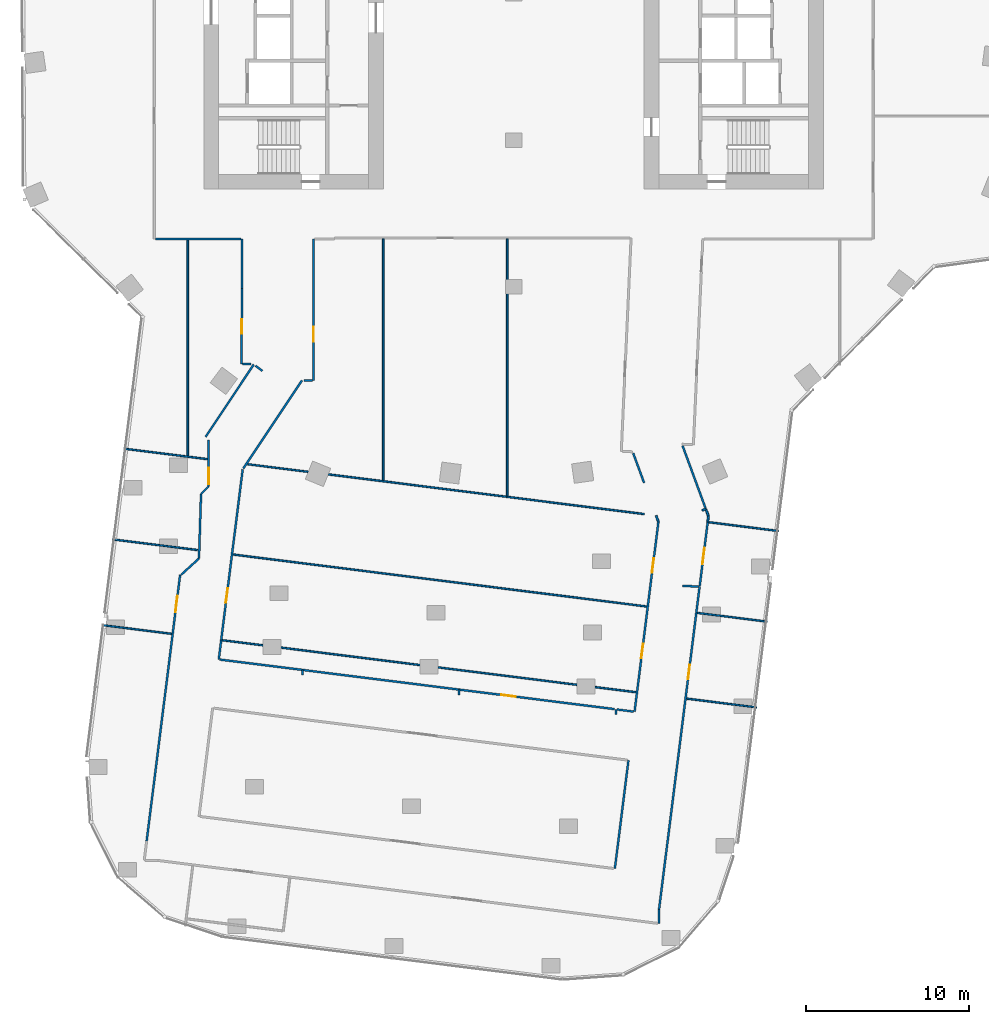
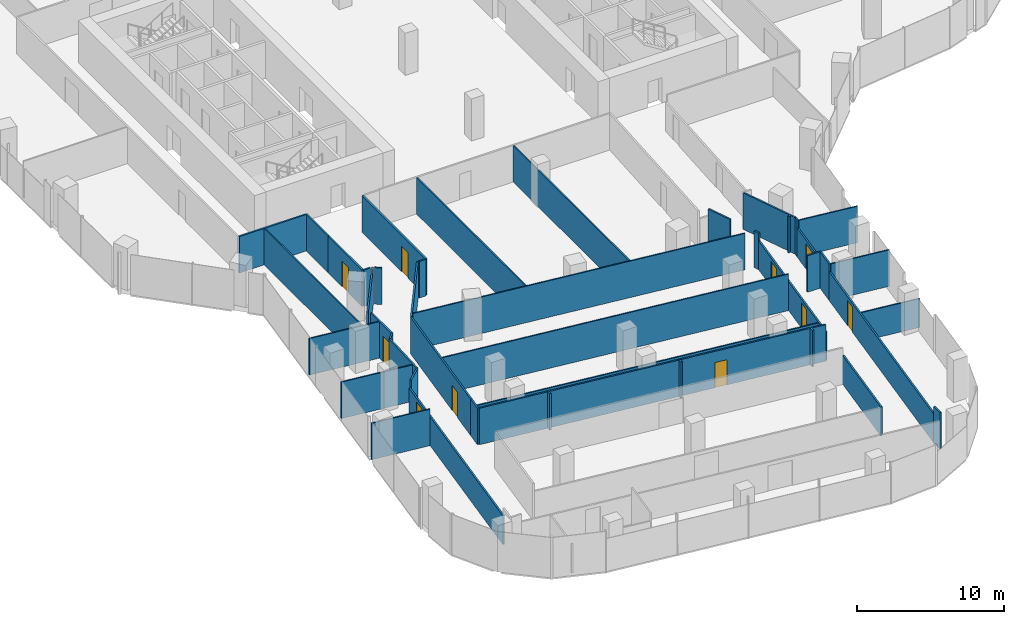
# One storey, part 19 of 27: 46 walls, 10 doors, 10 openings.
"""IFC4 building model written with IfcOpenShell, lengths in metres."""

from ifc_helpers import new_model, si_unit, direction, frame, frame_2d, origin, place, context, subcontext, project, spatial, rectangle, extrude, material, layer, layer_set, type_object, element, fill, save


model = new_model("IFC4")

# Units and contexts
model_context = context("Model", 3, precision=1e-05, world=origin(), true_north=direction((0.0, 1.0)))
body_context = subcontext(model_context, "Body", "Model", "MODEL_VIEW")
ifc_project = project(units=[si_unit("LENGTHUNIT", "METRE"), si_unit("AREAUNIT", "SQUARE_METRE"), si_unit("VOLUMEUNIT", "CUBIC_METRE"), si_unit("PLANEANGLEUNIT", "RADIAN"), si_unit("MASSUNIT", "GRAM", prefix="KILO")], contexts=[model_context])

# Site, building, storey
site_placement = place(None, origin())
site = spatial("IfcSite", under=ifc_project, at=site_placement, CompositionType="ELEMENT")
building_placement = place(site_placement, origin())
building = spatial("IfcBuilding", under=site, at=building_placement, Name="Orlundy Tower", CompositionType="ELEMENT")
storey_placement = place(building_placement, frame((0.0, 0.0, 202.60009765625)))
storey = spatial("IfcBuildingStorey", under=building, at=storey_placement, Name="L53", CompositionType="ELEMENT", Elevation=202.60009765625)

# Walls
ifc_material_1 = material(Name="Gypsum board partition")
ifc_layer_1 = layer(ifc_material_1, 0.10009765625)
ifc_layer_set_1 = layer_set([ifc_layer_1], Name="Floor partition 100")
wall_type_1 = type_object("IfcWallType", Name="Floor partition 100", PredefinedType="PARTITIONING", material=ifc_layer_set_1)
wall_1_placement = place(storey_placement, frame((-0.39892578125, -15.06201171875, 0.0), z_axis=(0.0, 0.0, 1.0), x_axis=(6.1913754e-05, -0.999999998083, 0.0)))
element("IfcWall", 1, at=wall_1_placement, inside=storey, type_object=wall_type_1, Name="wall-int-L53-001", PredefinedType="PARTITIONING", context=body_context, shape_type="SweptSolid", body=[
    extrude(rectangle(XDim=15.77294921875, YDim=0.10009765625, at=frame_2d((7.886474609375, 0.0))), origin(), (0.0, 0.0, 1.0), 3.02978515625),
])
wall_2_placement = place(storey_placement, frame((-25.281982421875, -38.7490234375, 0.0), z_axis=(0.0, 0.0, 1.0), x_axis=(0.992194392082, -0.124700795187, 0.0)))
element("IfcWall", 2, at=wall_2_placement, inside=storey, type_object=wall_type_1, Name="wall-int-L53-013", PredefinedType="PARTITIONING", context=body_context, shape_type="SweptSolid", body=[
    extrude(rectangle(XDim=4.33056640625, YDim=0.10009765625, at=frame_2d((2.165283203125, 0.0))), origin(), (0.0, 0.0, 1.0), 3.02978515625),
])
wall_3_placement = place(storey_placement, frame((-24.62109375, -33.489990234375, 0.0), z_axis=(0.0, 0.0, 1.0), x_axis=(0.992192670487, -0.124714492473, 0.0)))
element("IfcWall", 3, at=wall_3_placement, inside=storey, type_object=wall_type_1, Name="wall-int-L53-016", PredefinedType="PARTITIONING", context=body_context, shape_type="SweptSolid", body=[
    extrude(rectangle(XDim=5.260009765625, YDim=0.10009765625, at=frame_2d((2.6298828125, 0.0))), origin(), (0.0, 0.0, 1.0), 3.02978515625),
])
wall_4_placement = place(storey_placement, frame((-17.220947265625, -34.4208984375, 0.0), z_axis=(0.0, 0.0, 1.0), x_axis=(0.992190871449, -0.124728804262, 0.0)))
element("IfcWall", 4, at=wall_4_placement, inside=storey, type_object=wall_type_1, Name="wall-int-L53-017", PredefinedType="PARTITIONING", context=body_context, shape_type="SweptSolid", body=[
    extrude(rectangle(XDim=25.584716796875, YDim=0.10009765625, at=frame_2d((12.79248046875, 0.0))), origin(), (0.0, 0.0, 1.0), 3.02978515625),
])
wall_5_placement = place(storey_placement, frame((11.26611328125, -38.0029296875, 0.0), z_axis=(0.0, 0.0, 1.0), x_axis=(0.992194392082, -0.124700795187, 0.0)))
element("IfcWall", 5, at=wall_5_placement, inside=storey, type_object=wall_type_1, Name="wall-int-L53-018", PredefinedType="PARTITIONING", context=body_context, shape_type="SweptSolid", body=[
    extrude(rectangle(XDim=4.33056640625, YDim=0.10009765625, at=frame_2d((2.165283203125, 0.0))), origin(), (0.0, 0.0, 1.0), 3.02978515625),
])
wall_6_placement = place(storey_placement, frame((-23.9208984375, -27.927001953125, 0.0), z_axis=(0.0, 0.0, 1.0), x_axis=(0.992179593467, -0.124818485443, 0.0)))
element("IfcWall", 6, at=wall_6_placement, inside=storey, type_object=wall_type_1, Name="wall-int-L53-019", PredefinedType="PARTITIONING", context=body_context, shape_type="SweptSolid", body=[
    extrude(rectangle(XDim=5.175537109375, YDim=0.10009765625, at=frame_2d((2.587890625, 0.0))), origin(), (0.0, 0.0, 1.0), 3.02978515625),
])
wall_7_placement = place(storey_placement, frame((-16.31494140625, -28.884033203125, 0.0), z_axis=(0.0, 0.0, 1.0), x_axis=(0.992189406065, -0.124740460527, 0.0)))
element("IfcWall", 7, at=wall_7_placement, inside=storey, type_object=wall_type_1, Name="wall-int-L53-020", PredefinedType="PARTITIONING", context=body_context, shape_type="SweptSolid", body=[
    extrude(rectangle(XDim=24.523681640625, YDim=0.10009765625, at=frame_2d((12.26171875, 0.0))), origin(), (0.0, 0.0, 1.0), 3.02978515625),
])
wall_8_placement = place(storey_placement, frame((11.965087890625, -32.43994140625, 0.0), z_axis=(0.0, 0.0, 1.0), x_axis=(0.992194392082, -0.124700795187, 0.0)))
element("IfcWall", 8, at=wall_8_placement, inside=storey, type_object=wall_type_1, Name="wall-int-L53-021", PredefinedType="PARTITIONING", context=body_context, shape_type="SweptSolid", body=[
    extrude(rectangle(XDim=4.33056640625, YDim=0.10009765625, at=frame_2d((2.165283203125, 0.0))), origin(), (0.0, 0.0, 1.0), 3.02978515625),
])
wall_9_placement = place(storey_placement, frame((-8.0, -29.87890625, 0.0), z_axis=(0.0, 0.0, 1.0), x_axis=(0.0, 1.0, 0.0)))
element("IfcWall", 9, at=wall_9_placement, inside=storey, type_object=wall_type_1, Name="wall-int-L53-071", PredefinedType="PARTITIONING", context=body_context, shape_type="SweptSolid", body=[
    extrude(rectangle(XDim=14.81591796875, YDim=0.10009765625, at=frame_2d((7.407958984375, 0.0))), origin(), (0.0, 0.0, 1.0), 3.02978515625),
])
wall_10_placement = place(storey_placement, frame((-20.0, -28.3701171875, 0.0), z_axis=(0.0, 0.0, 1.0), x_axis=(0.0, 1.0, 0.0)))
element("IfcWall", 10, at=wall_10_placement, inside=storey, type_object=wall_type_1, Name="wall-int-L53-075", PredefinedType="PARTITIONING", context=body_context, shape_type="SweptSolid", body=[
    extrude(rectangle(XDim=13.256103515625, YDim=0.10009765625, at=frame_2d((6.6279296875, 0.0))), origin(), (0.0, 0.0, 1.0), 3.02978515625),
])
ifc_material_2 = material(Name="Gypsum board partition")
ifc_layer_2 = layer(ifc_material_2, 0.10009765625)
ifc_layer_set_2 = layer_set([ifc_layer_2], Name="Floor partition 100 B")
wall_type_2 = type_object("IfcWallType", Name="Floor partition 100 B", PredefinedType="PARTITIONING", material=ifc_layer_set_2)
wall_11_placement = place(storey_placement, frame((-17.883056640625, -39.678955078125, 0.0), z_axis=(0.0, 0.0, 1.0), x_axis=(0.992186741223, -0.124761654932, 0.0)))
element("IfcWall", 11, at=wall_11_placement, inside=storey, type_object=wall_type_2, Name="wall-int-L53-014", PredefinedType="PARTITIONING", context=body_context, shape_type="SweptSolid", body=[
    extrude(rectangle(XDim=25.5859375, YDim=0.10009765625, at=frame_2d((12.79296875, 0.0))), origin(), (0.0, 0.0, 1.0), 2.39501953125),
])
wall_12_placement = place(storey_placement, frame((10.60498046875, -43.260986328125, 0.0), z_axis=(0.0, 0.0, 1.0), x_axis=(0.992195268651, -0.124693820479, 0.0)))
element("IfcWall", 12, at=wall_12_placement, inside=storey, type_object=wall_type_2, Name="wall-int-L53-015", PredefinedType="PARTITIONING", context=body_context, shape_type="SweptSolid", body=[
    extrude(rectangle(XDim=4.330810546875, YDim=0.10009765625, at=frame_2d((2.16552734375, 0.0))), origin(), (0.0, 0.0, 1.0), 2.39501953125),
])
ifc_material_3 = material(Name="Gypsum board partition, double layer")
ifc_layer_3 = layer(ifc_material_3, 0.125)
ifc_layer_set_3 = layer_set([ifc_layer_3], Name="Floor partition 125")
wall_type_3 = type_object("IfcWallType", Name="Floor partition 125", PredefinedType="PARTITIONING", material=ifc_layer_set_3)
wall_13_placement = place(storey_placement, frame((7.33203125, -28.2099609375, 0.0), z_axis=(0.0, 0.0, 1.0), x_axis=(0.34522583337, -0.938519644959, 0.0)))
element("IfcWall", 13, at=wall_13_placement, inside=storey, type_object=wall_type_3, Name="wall-int-L53-002", PredefinedType="PARTITIONING", context=body_context, shape_type="SweptSolid", body=[
    extrude(rectangle(XDim=1.934814453125, YDim=0.125, at=frame_2d((0.96728515625, 0.0))), origin(), (0.0, 0.0, 1.0), 3.02978515625),
])
wall_14_placement = place(storey_placement, frame((8.738037109375, -32.033935546875, 0.0), z_axis=(0.0, 0.0, 1.0), x_axis=(0.344934891115, -0.938626614204, 0.0)))
element("IfcWall", 14, at=wall_14_placement, inside=storey, type_object=wall_type_3, Name="wall-int-L53-003", PredefinedType="PARTITIONING", context=body_context, shape_type="SweptSolid", body=[
    extrude(rectangle(XDim=0.4111328125, YDim=0.125, at=frame_2d((0.20556640625, 0.0))), origin(), (0.0, 0.0, 1.0), 3.02978515625),
])
wall_15_placement = place(storey_placement, frame((10.35791015625, -27.742919921875, 0.0), z_axis=(0.0, 0.0, 1.0), x_axis=(0.34503845991, -0.938588547332, 0.0)))
element("IfcWall", 15, at=wall_15_placement, inside=storey, type_object=wall_type_3, Name="wall-int-L53-004", PredefinedType="PARTITIONING", context=body_context, shape_type="SweptSolid", body=[
    extrude(rectangle(XDim=4.072021484375, YDim=0.125, at=frame_2d((2.0361328125, 0.0))), origin(), (0.0, 0.0, 1.0), 3.02978515625),
])
wall_16_placement = place(storey_placement, frame((11.785888671875, -31.6279296875, 0.0), z_axis=(0.0, 0.0, 1.0), x_axis=(0.346065449672, -0.938210373287, 0.0)))
element("IfcWall", 16, at=wall_16_placement, inside=storey, type_object=wall_type_3, Name="wall-int-L53-005", PredefinedType="PARTITIONING", context=body_context, shape_type="SweptSolid", body=[
    extrude(rectangle(XDim=0.47119140625, YDim=0.125, at=frame_2d((0.235595703125, 0.0))), origin(), (0.0, 0.0, 1.0), 3.02978515625),
])
wall_17_placement = place(storey_placement, frame((-15.840087890625, -22.843017578125, 0.0), z_axis=(0.0, 0.0, 1.0), x_axis=(0.80067453545, -0.599099564582, 0.0)))
element("IfcWall", 17, at=wall_17_placement, inside=storey, type_object=wall_type_3, Name="wall-int-L53-006", PredefinedType="PARTITIONING", context=body_context, shape_type="SweptSolid", body=[
    extrude(rectangle(XDim=0.520751953125, YDim=0.125, at=frame_2d((0.26025390625, 0.0))), origin(), (0.0, 0.0, 1.0), 3.02978515625),
])

# Wall, opening, door
wall_18_placement = place(storey_placement, frame((-18.031982421875, -40.865966796875, 0.0), z_axis=(0.0, 0.0, 1.0), x_axis=(0.9922120451, -0.124560256738, 0.0)))
wall_18 = element("IfcWall", 18, at=wall_18_placement, inside=storey, type_object=wall_type_3, Name="wall-int-L53-011", PredefinedType="PARTITIONING", context=body_context, shape_type="SweptSolid", body=[
    extrude(rectangle(XDim=24.4140625, YDim=0.125, at=frame_2d((12.20703125, 0.0))), origin(), (0.0, 0.0, 1.0), 3.02978515625),
])
opening_1_placement = place(wall_18_placement, frame((17.40380859375, 0.0, 0.0)))
opening_1 = element("IfcOpeningElement", 19, at=opening_1_placement, cuts=wall_18, Name="Opening 40105", PredefinedType="OPENING", context=body_context, shape_type="SweptSolid", body=[
    extrude(rectangle(XDim=0.89990234375, YDim=2.10009765625, at=frame_2d((0.449951171875, 1.050048828125))), frame((0.0, 0.072509765625, 0.0), z_axis=(0.0, -1.0, 0.0), x_axis=(1.0, 0.0, 0.0)), (0.0, 0.0, 1.0), 0.14501953125),
])
ifc_material_4 = material(Name="Timber door leaf", Category="wood")
door_type_1 = type_object("IfcDoorType", Name="Floor door single 900 FD30S", OperationType="NOTDEFINED", PredefinedType="DOOR", material=ifc_material_4)
door_1_placement = place(opening_1_placement, origin())
door_1 = element("IfcDoor", 20, at=door_1_placement, inside=storey, type_object=door_type_1, Name="Door 40105", OperationType="SINGLE_SWING_RIGHT", OverallHeight=2.10009765625, OverallWidth=0.89990234375, PredefinedType="DOOR", context=body_context, shape_type="SweptSolid", body=[
    extrude(rectangle(XDim=0.89990234375, YDim=2.10009765625, at=frame_2d((0.449951171875, 1.050048828125))), frame((0.0, 0.02490234375, 0.0), z_axis=(0.0, -1.0, 0.0), x_axis=(1.0, 0.0, 0.0)), (0.0, 0.0, 1.0), 0.050048828125),
])
fill(opening_1, door_1)

# Walls
wall_19_placement = place(storey_placement, frame((6.342041015625, -43.930908203125, 0.0), z_axis=(0.0, 0.0, 1.0), x_axis=(0.992192944833, -0.124712309833, 0.0)))
element("IfcWall", 21, at=wall_19_placement, inside=storey, type_object=wall_type_3, Name="wall-int-L53-012", PredefinedType="PARTITIONING", context=body_context, shape_type="SweptSolid", body=[
    extrude(rectangle(XDim=1.02001953125, YDim=0.125, at=frame_2d((0.510009765625, 0.0))), origin(), (0.0, 0.0, 1.0), 3.02978515625),
])
wall_20_placement = place(storey_placement, frame((10.365966796875, -36.35595703125, 0.0), z_axis=(0.0, 0.0, 1.0), x_axis=(0.999700907591, -0.024455988254, 0.0)))
element("IfcWall", 22, at=wall_20_placement, inside=storey, type_object=wall_type_3, Name="wall-int-L53-024", PredefinedType="PARTITIONING", context=body_context, shape_type="SweptSolid", body=[
    extrude(rectangle(XDim=0.978271484375, YDim=0.125, at=frame_2d((0.4892578125, 0.0))), origin(), (0.0, 0.0, 1.0), 3.02978515625),
])
for number, where, z_axis, x_axis, name in (
    (23, (-12.876953125, -23.7451171875, 0.0), (0.0, 0.0, 1.0), (0.999992999485, -0.003741788586, 0.0), "wall-int-L53-026"),
    (24, (-16.62890625, -22.72802734375, 0.0), (0.0, 0.0, 1.0), (0.999992999485, -0.003741788586, 0.0), "wall-int-L53-027"),
):
    element("IfcWall", number, at=place(storey_placement, frame(where, z_axis=z_axis, x_axis=x_axis)), inside=storey, type_object=wall_type_3, Name=name, PredefinedType="PARTITIONING", context=body_context, shape_type="SweptSolid", body=[
        extrude(rectangle(XDim=0.52197265625, YDim=0.125, at=frame_2d((0.260986328125, 0.0))), origin(), (0.0, 0.0, 1.0), 3.02978515625),
    ])
wall_21_placement = place(storey_placement, frame((-20.402099609375, -35.6640625, 0.0), z_axis=(0.0, 0.0, 1.0), x_axis=(0.738431976745, 0.674327973408, 0.0)))
element("IfcWall", 25, at=wall_21_placement, inside=storey, type_object=wall_type_3, Name="wall-int-L53-028", PredefinedType="PARTITIONING", context=body_context, shape_type="SweptSolid", body=[
    extrude(rectangle(XDim=1.4814453125, YDim=0.125, at=frame_2d((0.74072265625, 0.0))), origin(), (0.0, 0.0, 1.0), 3.02978515625),
])
wall_22_placement = place(storey_placement, frame((-19.181884765625, -30.702880859375, 0.0), z_axis=(0.0, 0.0, 1.0), x_axis=(0.707106781187, 0.707106781187, 0.0)))
element("IfcWall", 26, at=wall_22_placement, inside=storey, type_object=wall_type_3, Name="wall-int-L53-029", PredefinedType="PARTITIONING", context=body_context, shape_type="SweptSolid", body=[
    extrude(rectangle(XDim=0.65869140625, YDim=0.125, at=frame_2d((0.329345703125, 0.0))), origin(), (0.0, 0.0, 1.0), 3.02978515625),
])
wall_23_placement = place(storey_placement, frame((-21.988037109375, -15.051025390625, 0.0), z_axis=(0.0, 0.0, 1.0), x_axis=(1.0, 0.0, 0.0)))
element("IfcWall", 27, at=wall_23_placement, inside=storey, type_object=wall_type_3, Name="wall-int-L53-030", PredefinedType="PARTITIONING", context=body_context, shape_type="SweptSolid", body=[
    extrude(rectangle(XDim=5.255126953125, YDim=0.125, at=frame_2d((2.62744140625, 0.0))), origin(), (0.0, 0.0, 1.0), 3.02978515625),
])
wall_24_placement = place(storey_placement, frame((11.56298828125, -31.720947265625, 0.0), z_axis=(0.0, 0.0, 1.0), x_axis=(0.921426271694, 0.3885532471, 0.0)))
element("IfcWall", 28, at=wall_24_placement, inside=storey, type_object=wall_type_3, Name="wall-int-L53-041", PredefinedType="PARTITIONING", context=body_context, shape_type="SweptSolid", body=[
    extrude(rectangle(XDim=0.241943359375, YDim=0.125, at=frame_2d((0.12109375, 0.0))), origin(), (0.0, 0.0, 1.0), 3.02978515625),
])
wall_25_placement = place(storey_placement, frame((-12.992919921875, -23.7451171875, 0.0), z_axis=(0.0, 0.0, 1.0), x_axis=(-0.554439865958, -0.832223789035, 0.0)))
element("IfcWall", 29, at=wall_25_placement, inside=storey, type_object=wall_type_3, Name="wall-int-L53-042", PredefinedType="PARTITIONING", context=body_context, shape_type="SweptSolid", body=[
    extrude(rectangle(XDim=6.4931640625, YDim=0.125, at=frame_2d((3.24658203125, 0.0))), origin(), (0.0, 0.0, 1.0), 3.02978515625),
])
wall_26_placement = place(storey_placement, frame((-15.947998046875, -22.76806640625, 0.0), z_axis=(0.0, 0.0, 1.0), x_axis=(-0.554404200785, -0.832247548601, 0.0)))
element("IfcWall", 30, at=wall_26_placement, inside=storey, type_object=wall_type_3, Name="wall-int-L53-043", PredefinedType="PARTITIONING", context=body_context, shape_type="SweptSolid", body=[
    extrude(rectangle(XDim=5.330078125, YDim=0.125, at=frame_2d((2.6650390625, 0.0))), origin(), (0.0, 0.0, 1.0), 3.02978515625),
])
wall_27_placement = place(storey_placement, frame((-19.18310546875, -30.7080078125, 0.0), z_axis=(0.0, 0.0, 1.0), x_axis=(-0.0315735891, -0.99950142995, 0.0)))
element("IfcWall", 31, at=wall_27_placement, inside=storey, type_object=wall_type_3, Name="wall-int-L53-044", PredefinedType="PARTITIONING", context=body_context, shape_type="SweptSolid", body=[
    extrude(rectangle(XDim=3.958984375, YDim=0.125, at=frame_2d((1.9794921875, 0.0))), origin(), (0.0, 0.0, 1.0), 3.02978515625),
])
wall_28_placement = place(storey_placement, frame((11.903076171875, -32.431884765625, 0.0), z_axis=(0.0, 0.0, 1.0), x_axis=(0.125847054802, 0.992049655409, 0.0)))
element("IfcWall", 32, at=wall_28_placement, inside=storey, type_object=wall_type_3, Name="wall-int-L53-045", PredefinedType="PARTITIONING", context=body_context, shape_type="SweptSolid", body=[
    extrude(rectangle(XDim=0.36474609375, YDim=0.125, at=frame_2d((0.182373046875, 0.0))), origin(), (0.0, 0.0, 1.0), 3.02978515625),
])

# Wall, opening, door
wall_29_placement = place(storey_placement, frame((-16.6259765625, -29.197998046875, 0.0), z_axis=(0.0, 0.0, 1.0), x_axis=(-0.1249655299, -0.992161083865, 0.0)))
wall_29 = element("IfcWall", 33, at=wall_29_placement, inside=storey, type_object=wall_type_3, Name="wall-int-L53-052", PredefinedType="PARTITIONING", context=body_context, shape_type="SweptSolid", body=[
    extrude(rectangle(XDim=10.5556640625, YDim=0.125, at=frame_2d((5.27783203125, 0.0))), origin(), (0.0, 0.0, 1.0), 3.02978515625),
])
opening_2_placement = place(wall_29_placement, frame((7.35595703125, 0.0, 0.0)))
opening_2 = element("IfcOpeningElement", 34, at=opening_2_placement, cuts=wall_29, Name="Opening 40103", PredefinedType="OPENING", context=body_context, shape_type="SweptSolid", body=[
    extrude(rectangle(XDim=0.89990234375, YDim=2.10009765625, at=frame_2d((0.449951171875, 1.050048828125))), frame((0.0, 0.072509765625, 0.0), z_axis=(0.0, -1.0, 0.0), x_axis=(1.0, 0.0, 0.0)), (0.0, 0.0, 1.0), 0.14501953125),
])
door_2_placement = place(opening_2_placement, origin())
door_2 = element("IfcDoor", 35, at=door_2_placement, inside=storey, type_object=door_type_1, Name="Door 40103", OperationType="SINGLE_SWING_RIGHT", OverallHeight=2.10009765625, OverallWidth=0.89990234375, PredefinedType="DOOR", context=body_context, shape_type="SweptSolid", body=[
    extrude(rectangle(XDim=0.89990234375, YDim=2.10009765625, at=frame_2d((0.449951171875, 1.050048828125))), frame((0.0, 0.02490234375, 0.0), z_axis=(0.0, -1.0, 0.0), x_axis=(1.0, 0.0, 0.0)), (0.0, 0.0, 1.0), 0.050048828125),
])
fill(opening_2, door_2)

# Walls
wall_30_placement = place(storey_placement, frame((-18.093994140625, -40.85791015625, 0.0), z_axis=(0.0, 0.0, 1.0), x_axis=(0.124486830253, 0.99222126015, 0.0)))
element("IfcWall", 36, at=wall_30_placement, inside=storey, type_object=wall_type_3, Name="wall-int-L53-054", PredefinedType="PARTITIONING", context=body_context, shape_type="SweptSolid", body=[
    extrude(rectangle(XDim=1.1962890625, YDim=0.125, at=frame_2d((0.59814453125, 0.0))), origin(), (0.0, 0.0, 1.0), 3.02978515625),
])
wall_31_placement = place(storey_placement, frame((11.2041015625, -37.9951171875, 0.0), z_axis=(0.0, 0.0, 1.0), x_axis=(0.124201089062, 0.992257068242, 0.0)))
element("IfcWall", 37, at=wall_31_placement, inside=storey, type_object=wall_type_3, Name="wall-int-L53-056", PredefinedType="PARTITIONING", context=body_context, shape_type="SweptSolid", body=[
    extrude(rectangle(XDim=1.625732421875, YDim=0.125, at=frame_2d((0.81298828125, 0.0))), origin(), (0.0, 0.0, 1.0), 3.02978515625),
])
wall_32_placement = place(storey_placement, frame((8.906005859375, -57.056884765625, 0.0), z_axis=(0.0, 0.0, 1.0), x_axis=(0.010516757761, 0.999944697374, 0.0)))
element("IfcWall", 38, at=wall_32_placement, inside=storey, type_object=wall_type_3, Name="wall-int-L53-060", PredefinedType="PARTITIONING", context=body_context, shape_type="SweptSolid", body=[
    extrude(rectangle(XDim=0.85888671875, YDim=0.125, at=frame_2d((0.429443359375, 0.0))), origin(), (0.0, 0.0, 1.0), 3.02978515625),
])

# Wall, opening, door
wall_33_placement = place(storey_placement, frame((-12.27001953125, -15.051025390625, 0.0), z_axis=(0.0, 0.0, 1.0), x_axis=(-0.002639031771, -0.99999651775, 0.0)))
wall_33 = element("IfcWall", 39, at=wall_33_placement, inside=storey, type_object=wall_type_3, Name="wall-int-L53-061", PredefinedType="PARTITIONING", context=body_context, shape_type="SweptSolid", body=[
    extrude(rectangle(XDim=8.696044921875, YDim=0.125, at=frame_2d((4.34814453125, 0.0))), origin(), (0.0, 0.0, 1.0), 3.02978515625),
])
opening_3_placement = place(wall_33_placement, frame((5.405517578125, 0.0, 0.0)))
opening_3 = element("IfcOpeningElement", 40, at=opening_3_placement, cuts=wall_33, Name="Opening 40113", PredefinedType="OPENING", context=body_context, shape_type="SweptSolid", body=[
    extrude(rectangle(XDim=0.89990234375, YDim=2.10009765625, at=frame_2d((0.449951171875, 1.050048828125))), frame((0.0, 0.072509765625, 0.0), z_axis=(0.0, -1.0, 0.0), x_axis=(1.0, 0.0, 0.0)), (0.0, 0.0, 1.0), 0.14501953125),
])
door_3_placement = place(opening_3_placement, origin())
door_3 = element("IfcDoor", 41, at=door_3_placement, inside=storey, type_object=door_type_1, Name="Door 40113", OperationType="SINGLE_SWING_RIGHT", OverallHeight=2.10009765625, OverallWidth=0.89990234375, PredefinedType="DOOR", context=body_context, shape_type="SweptSolid", body=[
    extrude(rectangle(XDim=0.89990234375, YDim=2.10009765625, at=frame_2d((0.449951171875, 1.050048828125))), frame((0.0, 0.02490234375, 0.0), z_axis=(0.0, -1.0, 0.0), x_axis=(1.0, 0.0, 0.0)), (0.0, 0.0, 1.0), 0.050048828125),
])
fill(opening_3, door_3)

# Wall
wall_34_placement = place(storey_placement, frame((-16.678955078125, -18.093994140625, 0.0), z_axis=(0.0, 0.0, 1.0), x_axis=(0.002647615881, 0.999996495059, 0.0)))
element("IfcWall", 42, at=wall_34_placement, inside=storey, type_object=wall_type_3, Name="wall-int-L53-062", PredefinedType="PARTITIONING", context=body_context, shape_type="SweptSolid", body=[
    extrude(rectangle(XDim=3.04296875, YDim=0.125, at=frame_2d((1.521484375, 0.0))), origin(), (0.0, 0.0, 1.0), 3.02978515625),
])

# Wall, opening, door
wall_35_placement = place(storey_placement, frame((-16.69091796875, -22.72802734375, 0.0), z_axis=(0.0, 0.0, 1.0), x_axis=(0.002581520295, 0.999996667871, 0.0)))
wall_35 = element("IfcWall", 43, at=wall_35_placement, inside=storey, type_object=wall_type_3, Name="wall-int-L53-063", PredefinedType="PARTITIONING", context=body_context, shape_type="SweptSolid", body=[
    extrude(rectangle(XDim=4.634033203125, YDim=0.125, at=frame_2d((2.31689453125, 0.0))), origin(), (0.0, 0.0, 1.0), 3.02978515625),
])
opening_4_placement = place(wall_35_placement, frame((1.85009765625, 0.0, 0.0)))
opening_4 = element("IfcOpeningElement", 44, at=opening_4_placement, cuts=wall_35, Name="Opening 40112", PredefinedType="OPENING", context=body_context, shape_type="SweptSolid", body=[
    extrude(rectangle(XDim=0.89990234375, YDim=2.10009765625, at=frame_2d((0.449951171875, 1.050048828125))), frame((0.0, 0.072509765625, 0.0), z_axis=(0.0, -1.0, 0.0), x_axis=(1.0, 0.0, 0.0)), (0.0, 0.0, 1.0), 0.14501953125),
])
door_4_placement = place(opening_4_placement, origin())
door_4 = element("IfcDoor", 45, at=door_4_placement, inside=storey, type_object=door_type_1, Name="Door 40112", OperationType="SINGLE_SWING_LEFT", OverallHeight=2.10009765625, OverallWidth=0.89990234375, PredefinedType="DOOR", context=body_context, shape_type="SweptSolid", body=[
    extrude(rectangle(XDim=0.89990234375, YDim=2.10009765625, at=frame_2d((0.449951171875, 1.050048828125))), frame((0.0, 0.02490234375, 0.0), z_axis=(0.0, -1.0, 0.0), x_axis=(1.0, 0.0, 0.0)), (0.0, 0.0, 1.0), 0.050048828125),
])
fill(opening_4, door_4)

# Walls
wall_36_placement = place(storey_placement, frame((6.280029296875, -44.2470703125, 0.0), z_axis=(0.0, 0.0, 1.0), x_axis=(0.0, 1.0, 0.0)))
element("IfcWall", 46, at=wall_36_placement, inside=storey, type_object=wall_type_3, Name="wall-int-L53-068", PredefinedType="PARTITIONING", context=body_context, shape_type="SweptSolid", body=[
    extrude(rectangle(XDim=0.323974609375, YDim=0.125, at=frame_2d((0.162109375, 0.0))), origin(), (0.0, 0.0, 1.0), 3.02978515625),
])
wall_37_placement = place(storey_placement, frame((-3.344970703125, -43.037109375, 0.0), z_axis=(0.0, 0.0, 1.0), x_axis=(0.0, 1.0, 0.0)))
element("IfcWall", 47, at=wall_37_placement, inside=storey, type_object=wall_type_3, Name="wall-int-L53-070", PredefinedType="PARTITIONING", context=body_context, shape_type="SweptSolid", body=[
    extrude(rectangle(XDim=0.32421875, YDim=0.125, at=frame_2d((0.162109375, 0.0))), origin(), (0.0, 0.0, 1.0), 3.02978515625),
])
wall_38_placement = place(storey_placement, frame((-12.968017578125, -41.826904296875, 0.0), z_axis=(0.0, 0.0, 1.0), x_axis=(0.0, 1.0, 0.0)))
element("IfcWall", 48, at=wall_38_placement, inside=storey, type_object=wall_type_3, Name="wall-int-L53-073", PredefinedType="PARTITIONING", context=body_context, shape_type="SweptSolid", body=[
    extrude(rectangle(XDim=0.323974609375, YDim=0.125, at=frame_2d((0.162109375, 0.0))), origin(), (0.0, 0.0, 1.0), 3.02978515625),
])

# Wall, opening, door
wall_39_placement = place(storey_placement, frame((-18.716064453125, -30.237060546875, 0.0), z_axis=(0.0, 0.0, 1.0), x_axis=(0.0, 1.0, 0.0)))
wall_39 = element("IfcWall", 49, at=wall_39_placement, inside=storey, type_object=wall_type_3, Name="wall-int-L53-074", PredefinedType="PARTITIONING", context=body_context, shape_type="SweptSolid", body=[
    extrude(rectangle(XDim=2.826171875, YDim=0.125, at=frame_2d((1.4130859375, 0.0))), origin(), (0.0, 0.0, 1.0), 3.02978515625),
])
opening_5_placement = place(wall_39_placement, frame((0.134033203125, 0.0, 0.0)))
opening_5 = element("IfcOpeningElement", 50, at=opening_5_placement, cuts=wall_39, Name="Opening 40109", PredefinedType="OPENING", context=body_context, shape_type="SweptSolid", body=[
    extrude(rectangle(XDim=1.0, YDim=2.10009765625, at=frame_2d((0.5, 1.050048828125))), frame((0.0, 0.072509765625, 0.0), z_axis=(0.0, -1.0, 0.0), x_axis=(1.0, 0.0, 0.0)), (0.0, 0.0, 1.0), 0.14501953125),
])
ifc_material_5 = material(Name="Timber door leaf", Category="wood")
door_type_2 = type_object("IfcDoorType", Name="Floor door wide 1000 FD30S", OperationType="NOTDEFINED", PredefinedType="DOOR", material=ifc_material_5)
door_5_placement = place(opening_5_placement, origin())
door_5 = element("IfcDoor", 51, at=door_5_placement, inside=storey, type_object=door_type_2, Name="Door 40109", OperationType="SINGLE_SWING_LEFT", OverallHeight=2.10009765625, OverallWidth=1.0, PredefinedType="DOOR", context=body_context, shape_type="SweptSolid", body=[
    extrude(rectangle(XDim=1.0, YDim=2.10009765625, at=frame_2d((0.5, 1.050048828125))), frame((0.0, 0.02490234375, 0.0), z_axis=(0.0, -1.0, 0.0), x_axis=(1.0, 0.0, 0.0)), (0.0, 0.0, 1.0), 0.050048828125),
])
fill(opening_5, door_5)

ifc_material_6 = material(Name="Gypsum board partition, double layer")
ifc_layer_4 = layer(ifc_material_6, 0.125)
ifc_layer_set_4 = layer_set([ifc_layer_4], Name="Floor partition 125 B")
wall_type_4 = type_object("IfcWallType", Name="Floor partition 125 B", PredefinedType="PARTITIONING", material=ifc_layer_set_4)
wall_40_placement = place(storey_placement, frame((11.2041015625, -37.993896484375, 0.0), z_axis=(0.0, 0.0, 1.0), x_axis=(-0.124761850955, -0.992186716574, 0.0)))
wall_40 = element("IfcWall", 52, at=wall_40_placement, inside=storey, type_object=wall_type_4, Name="wall-int-L53-046", PredefinedType="PARTITIONING", context=body_context, shape_type="SweptSolid", body=[
    extrude(rectangle(XDim=18.347412109375, YDim=0.125, at=frame_2d((9.173828125, 0.0))), origin(), (0.0, 0.0, 1.0), 2.39501953125),
])
opening_6_placement = place(wall_40_placement, frame((3.225341796875, 0.0, 0.0)))
opening_6 = element("IfcOpeningElement", 53, at=opening_6_placement, cuts=wall_40, Name="Opening 40101", PredefinedType="OPENING", context=body_context, shape_type="SweptSolid", body=[
    extrude(rectangle(XDim=0.89990234375, YDim=2.10009765625, at=frame_2d((0.449951171875, 1.050048828125))), frame((0.0, 0.072509765625, 0.0), z_axis=(0.0, -1.0, 0.0), x_axis=(1.0, 0.0, 0.0)), (0.0, 0.0, 1.0), 0.14501953125),
])
door_6_placement = place(opening_6_placement, origin())
door_6 = element("IfcDoor", 54, at=door_6_placement, inside=storey, type_object=door_type_1, Name="Door 40101", OperationType="SINGLE_SWING_LEFT", OverallHeight=2.10009765625, OverallWidth=0.89990234375, PredefinedType="DOOR", context=body_context, shape_type="SweptSolid", body=[
    extrude(rectangle(XDim=0.89990234375, YDim=2.10009765625, at=frame_2d((0.449951171875, 1.050048828125))), frame((0.0, 0.02490234375, 0.0), z_axis=(0.0, -1.0, 0.0), x_axis=(1.0, 0.0, 0.0)), (0.0, 0.0, 1.0), 0.050048828125),
])
fill(opening_6, door_6)

wall_41_placement = place(storey_placement, frame((11.903076171875, -32.431884765625, 0.0), z_axis=(0.0, 0.0, 1.0), x_axis=(-0.124726255985, -0.992191191791, 0.0)))
wall_41 = element("IfcWall", 55, at=wall_41_placement, inside=storey, type_object=wall_type_4, Name="wall-int-L53-047", PredefinedType="PARTITIONING", context=body_context, shape_type="SweptSolid", body=[
    extrude(rectangle(XDim=3.953857421875, YDim=0.125, at=frame_2d((1.97705078125, 0.0))), origin(), (0.0, 0.0, 1.0), 2.39501953125),
])
opening_7_placement = place(wall_41_placement, frame((1.60009765625, 0.0, 0.0)))
opening_7 = element("IfcOpeningElement", 56, at=opening_7_placement, cuts=wall_41, Name="Opening 40100", PredefinedType="OPENING", context=body_context, shape_type="SweptSolid", body=[
    extrude(rectangle(XDim=1.0, YDim=2.10009765625, at=frame_2d((0.5, 1.050048828125))), frame((0.0, 0.072509765625, 0.0), z_axis=(0.0, -1.0, 0.0), x_axis=(1.0, 0.0, 0.0)), (0.0, 0.0, 1.0), 0.14501953125),
])
door_7_placement = place(opening_7_placement, origin())
door_7 = element("IfcDoor", 57, at=door_7_placement, inside=storey, type_object=door_type_2, Name="Door 40100", OperationType="SINGLE_SWING_RIGHT", OverallHeight=2.10009765625, OverallWidth=1.0, PredefinedType="DOOR", context=body_context, shape_type="SweptSolid", body=[
    extrude(rectangle(XDim=1.0, YDim=2.10009765625, at=frame_2d((0.5, 1.050048828125))), frame((0.0, 0.02490234375, 0.0), z_axis=(0.0, -1.0, 0.0), x_axis=(1.0, 0.0, 0.0)), (0.0, 0.0, 1.0), 0.050048828125),
])
fill(opening_7, door_7)

# Wall
wall_42_placement = place(storey_placement, frame((6.205078125, -53.693115234375, 0.0), z_axis=(0.0, 0.0, 1.0), x_axis=(0.124720623553, 0.992191899816, 0.0)))
element("IfcWall", 58, at=wall_42_placement, inside=storey, type_object=wall_type_4, Name="wall-int-L53-048", PredefinedType="PARTITIONING", context=body_context, shape_type="SweptSolid", body=[
    extrude(rectangle(XDim=6.702392578125, YDim=0.125, at=frame_2d((3.35107421875, 0.0))), origin(), (0.0, 0.0, 1.0), 2.39501953125),
])

# Wall, openings, doors
wall_43_placement = place(storey_placement, frame((7.416015625, -44.06591796875, 0.0), z_axis=(0.0, 0.0, 1.0), x_axis=(0.124521004899, 0.992216971906, 0.0)))
wall_43 = element("IfcWall", 59, at=wall_43_placement, inside=storey, type_object=wall_type_4, Name="wall-int-L53-049", PredefinedType="PARTITIONING", context=body_context, shape_type="SweptSolid", body=[
    extrude(rectangle(XDim=11.740234375, YDim=0.125, at=frame_2d((5.8701171875, 0.0))), origin(), (0.0, 0.0, 1.0), 2.39501953125),
])
opening_8_placement = place(wall_43_placement, frame((8.5966796875, 0.0, 0.0)))
opening_8 = element("IfcOpeningElement", 60, at=opening_8_placement, cuts=wall_43, Name="Opening 40102", PredefinedType="OPENING", context=body_context, shape_type="SweptSolid", body=[
    extrude(rectangle(XDim=0.89990234375, YDim=2.10009765625, at=frame_2d((0.449951171875, 1.050048828125))), frame((0.0, 0.072509765625, 0.0), z_axis=(0.0, -1.0, 0.0), x_axis=(1.0, 0.0, 0.0)), (0.0, 0.0, 1.0), 0.14501953125),
])
opening_9_placement = place(wall_43_placement, frame((3.29638671875, 0.0, 0.0)))
opening_9 = element("IfcOpeningElement", 61, at=opening_9_placement, cuts=wall_43, Name="Opening 40104", PredefinedType="OPENING", context=body_context, shape_type="SweptSolid", body=[
    extrude(rectangle(XDim=0.89990234375, YDim=2.10009765625, at=frame_2d((0.449951171875, 1.050048828125))), frame((0.0, 0.072509765625, 0.0), z_axis=(0.0, -1.0, 0.0), x_axis=(1.0, 0.0, 0.0)), (0.0, 0.0, 1.0), 0.14501953125),
])
door_8_placement = place(opening_8_placement, origin())
door_8 = element("IfcDoor", 62, at=door_8_placement, inside=storey, type_object=door_type_1, Name="Door 40102", OperationType="SINGLE_SWING_RIGHT", OverallHeight=2.10009765625, OverallWidth=0.89990234375, PredefinedType="DOOR", context=body_context, shape_type="SweptSolid", body=[
    extrude(rectangle(XDim=0.89990234375, YDim=2.10009765625, at=frame_2d((0.449951171875, 1.050048828125))), frame((0.0, 0.02490234375, 0.0), z_axis=(0.0, -1.0, 0.0), x_axis=(1.0, 0.0, 0.0)), (0.0, 0.0, 1.0), 0.050048828125),
])
fill(opening_8, door_8)
door_9_placement = place(opening_9_placement, origin())
door_9 = element("IfcDoor", 63, at=door_9_placement, inside=storey, type_object=door_type_1, Name="Door 40104", OperationType="SINGLE_SWING_LEFT", OverallHeight=2.10009765625, OverallWidth=0.89990234375, PredefinedType="DOOR", context=body_context, shape_type="SweptSolid", body=[
    extrude(rectangle(XDim=0.89990234375, YDim=2.10009765625, at=frame_2d((0.449951171875, 1.050048828125))), frame((0.0, 0.02490234375, 0.0), z_axis=(0.0, -1.0, 0.0), x_axis=(1.0, 0.0, 0.0)), (0.0, 0.0, 1.0), 0.050048828125),
])
fill(opening_9, door_9)

# Wall, opening, door
wall_44_placement = place(storey_placement, frame((-22.52001953125, -52.008056640625, 0.0), z_axis=(0.0, 0.0, 1.0), x_axis=(0.124660538506, 0.992199450786, 0.0)))
wall_44 = element("IfcWall", 64, at=wall_44_placement, inside=storey, type_object=wall_type_4, Name="wall-int-L53-055", PredefinedType="PARTITIONING", context=body_context, shape_type="SweptSolid", body=[
    extrude(rectangle(XDim=16.468505859375, YDim=0.125, at=frame_2d((8.234375, 0.0))), origin(), (0.0, 0.0, 1.0), 2.39501953125),
])
opening_10_placement = place(wall_44_placement, frame((14.160888671875, 0.0, 0.0)))
opening_10 = element("IfcOpeningElement", 65, at=opening_10_placement, cuts=wall_44, Name="Opening 40110", PredefinedType="OPENING", context=body_context, shape_type="SweptSolid", body=[
    extrude(rectangle(XDim=1.0, YDim=2.10009765625, at=frame_2d((0.5, 1.050048828125))), frame((0.0, 0.072509765625, 0.0), z_axis=(0.0, -1.0, 0.0), x_axis=(1.0, 0.0, 0.0)), (0.0, 0.0, 1.0), 0.14501953125),
])
door_10_placement = place(opening_10_placement, origin())
door_10 = element("IfcDoor", 66, at=door_10_placement, inside=storey, type_object=door_type_2, Name="Door 40110", OperationType="SINGLE_SWING_RIGHT", OverallHeight=2.10009765625, OverallWidth=1.0, PredefinedType="DOOR", context=body_context, shape_type="SweptSolid", body=[
    extrude(rectangle(XDim=1.0, YDim=2.10009765625, at=frame_2d((0.5, 1.050048828125))), frame((0.0, 0.02490234375, 0.0), z_axis=(0.0, -1.0, 0.0), x_axis=(1.0, 0.0, 0.0)), (0.0, 0.0, 1.0), 0.050048828125),
])
fill(opening_10, door_10)

save(model, "model.ifc")
